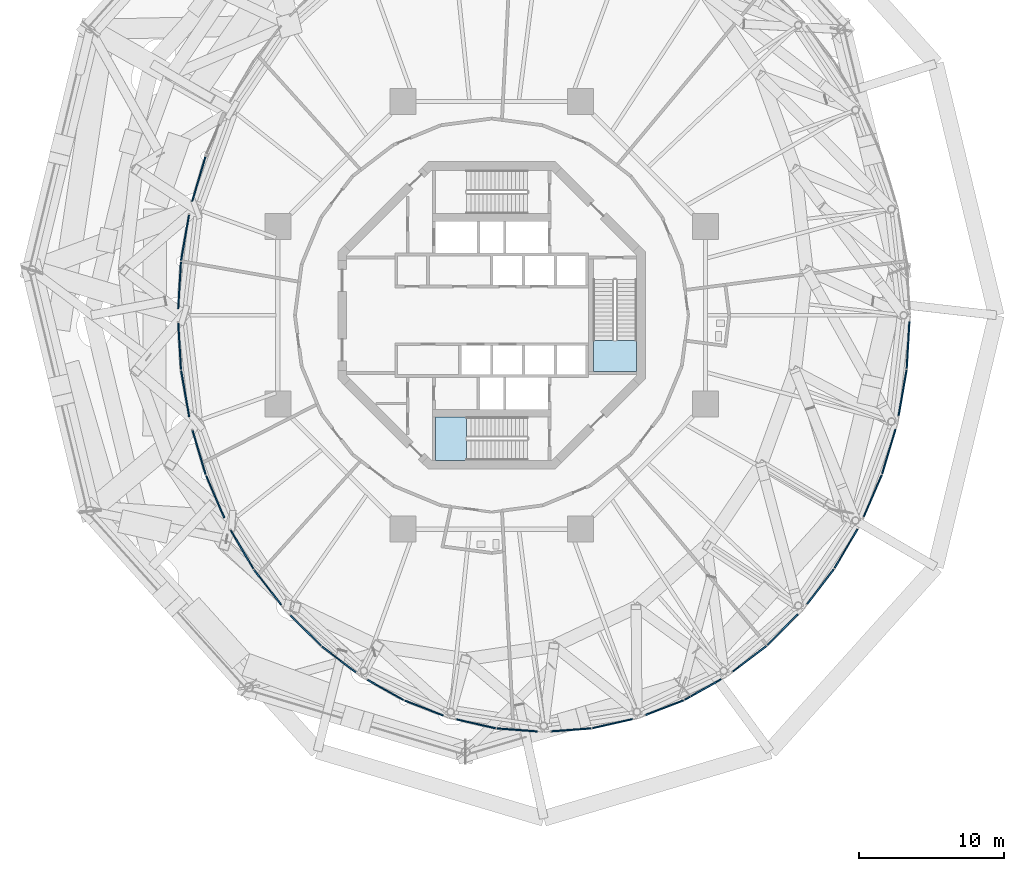
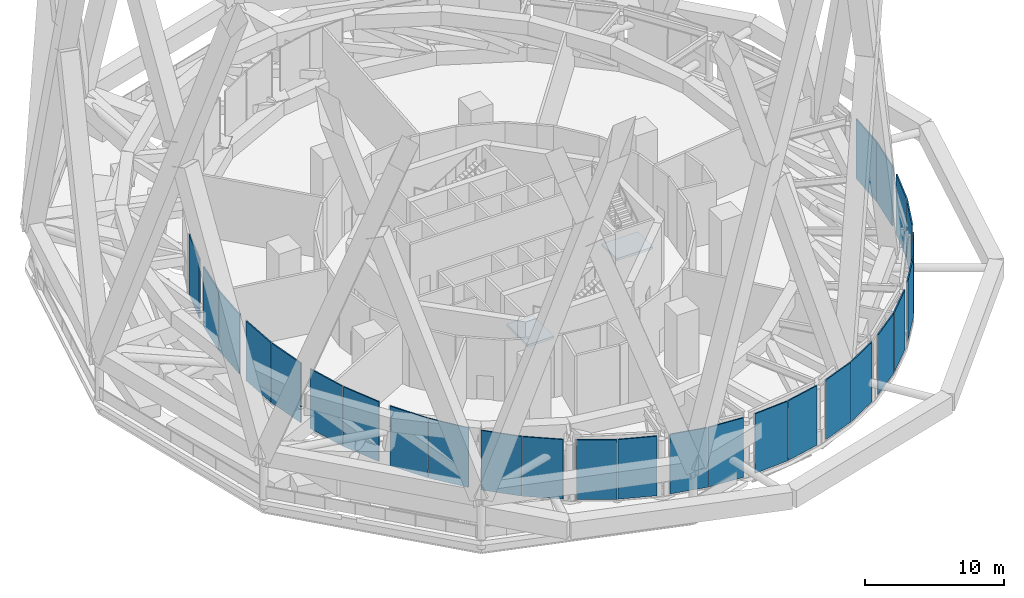
# One storey, part 47 of 60: 27 plates, 2 slabs, 29 elements without a shape of their own.
"""IFC4 building model written with IfcOpenShell, lengths in metres."""

from ifc_helpers import new_model, si_unit, direction, frame, origin, origin_2d, place, context, subcontext, project, spatial, polyline, rectangle, outline, extrude, material, layer, layer_set, type_object, element, aggregate, save


model = new_model("IFC4")

# Units and contexts
model_context = context("Model", 3, precision=1e-05, world=origin(), true_north=direction((0.0, 1.0)))
body_context = subcontext(model_context, "Body", "Model", "MODEL_VIEW")
ifc_project = project(units=[si_unit("LENGTHUNIT", "METRE"), si_unit("AREAUNIT", "SQUARE_METRE"), si_unit("VOLUMEUNIT", "CUBIC_METRE"), si_unit("PLANEANGLEUNIT", "RADIAN"), si_unit("MASSUNIT", "GRAM", prefix="KILO")], contexts=[model_context])

# Site, building, storey
site_placement = place(None, origin())
site = spatial("IfcSite", under=ifc_project, at=site_placement, CompositionType="ELEMENT")
building_placement = place(site_placement, origin())
building = spatial("IfcBuilding", under=site, at=building_placement, Name="Nagisa Residences", CompositionType="ELEMENT")
storey_placement = place(building_placement, frame((0.0, 0.0, 206.60009765625)))
storey = spatial("IfcBuildingStorey", under=building, at=storey_placement, Name="L52", CompositionType="ELEMENT", Elevation=206.60009765625)

# Curtain wall, plate
ifc_material_1 = material(Name="Aluminium curtain wall system", Category="aluminium")
ifc_layer_1 = layer(ifc_material_1, 0.159912109375)
ifc_layer_set_1 = layer_set([ifc_layer_1], Name="CW5 CURTAIN WALL")
curtain_wall_type = type_object("IfcCurtainWallType", Name="CW5 CURTAIN WALL", PredefinedType="NOTDEFINED", material=ifc_layer_set_1)
curtain_wall_1_placement = place(storey_placement, origin())
curtain_wall_1 = element("IfcCurtainWall", 1, at=curtain_wall_1_placement, inside=storey, type_object=curtain_wall_type, Name="cw:CW5:L52:21", PredefinedType="NOTDEFINED")
ifc_material_2 = material(Name="Aluminium louvre", Category="aluminium")
ifc_layer_2 = layer(ifc_material_2, 0.10009765625)
ifc_layer_set_2 = layer_set([ifc_layer_2], Name="CW5 LOUVRE PANEL")
plate_type = type_object("IfcPlateType", Name="CW5 LOUVRE PANEL", PredefinedType="CURTAIN_PANEL", material=ifc_layer_set_2)
plate_1_placement = place(storey_placement, frame((-20.244384765625, 9.42578125, 0.1201171875), z_axis=(0.0, 0.0, 1.0), x_axis=(-0.285860274038, -0.958271310082, 0.0)))
plate_1 = element("IfcPlate", 2, at=plate_1_placement, type_object=plate_type, Name="CW5 panel", PredefinedType="CURTAIN_PANEL", context=body_context, shape_type="SweptSolid", body=[
    extrude(rectangle(XDim=3.222412109375, YDim=0.10009765625, at=origin_2d()), origin(), (0.0, 0.0, 1.0), 5.219970703125),
])
aggregate(curtain_wall_1, [plate_1])

curtain_wall_2_placement = place(storey_placement, origin())
curtain_wall_2 = element("IfcCurtainWall", 3, at=curtain_wall_2_placement, inside=storey, type_object=curtain_wall_type, Name="cw:CW5:L52:22", PredefinedType="NOTDEFINED")
plate_2_placement = place(storey_placement, frame((-21.19921875, 5.356201171875, 0.1201171875), z_axis=(0.0, 0.0, 1.0), x_axis=(-0.172190868898, -0.985063604377, 0.0)))
plate_2 = element("IfcPlate", 4, at=plate_2_placement, type_object=plate_type, Name="CW5 panel", PredefinedType="CURTAIN_PANEL", context=body_context, shape_type="SweptSolid", body=[
    extrude(rectangle(XDim=3.250732421875, YDim=0.10009765625, at=origin_2d()), origin(), (0.0, 0.0, 1.0), 5.219970703125),
])
aggregate(curtain_wall_2, [plate_2])

curtain_wall_3_placement = place(storey_placement, origin())
curtain_wall_3 = element("IfcCurtainWall", 5, at=curtain_wall_3_placement, inside=storey, type_object=curtain_wall_type, Name="cw:CW5:L52:23", PredefinedType="NOTDEFINED")
plate_3_placement = place(storey_placement, frame((-21.575439453125, 2.074462890625, 0.1201171875), z_axis=(0.0, 0.0, 1.0), x_axis=(-0.057503492216, -0.998345305184, 0.0)))
plate_3 = element("IfcPlate", 6, at=plate_3_placement, type_object=plate_type, Name="CW5 panel", PredefinedType="CURTAIN_PANEL", context=body_context, shape_type="SweptSolid", body=[
    extrude(rectangle(XDim=3.26513671875, YDim=0.10009765625, at=origin_2d()), origin(), (0.0, 0.0, 1.0), 5.219970703125),
])
aggregate(curtain_wall_3, [plate_3])

curtain_wall_4_placement = place(storey_placement, origin())
curtain_wall_4 = element("IfcCurtainWall", 7, at=curtain_wall_4_placement, inside=storey, type_object=curtain_wall_type, Name="cw:CW5:L52:24", PredefinedType="NOTDEFINED")
plate_4_placement = place(storey_placement, frame((-21.572021484375, -2.134521484375, 0.1201171875), z_axis=(0.0, 0.0, 1.0), x_axis=(0.057503492216, -0.998345305184, 0.0)))
plate_4 = element("IfcPlate", 8, at=plate_4_placement, type_object=plate_type, Name="CW5 panel", PredefinedType="CURTAIN_PANEL", context=body_context, shape_type="SweptSolid", body=[
    extrude(rectangle(XDim=3.26513671875, YDim=0.10009765625, at=origin_2d()), origin(), (0.0, 0.0, 1.0), 5.219970703125),
])
aggregate(curtain_wall_4, [plate_4])

curtain_wall_5_placement = place(storey_placement, origin())
curtain_wall_5 = element("IfcCurtainWall", 9, at=curtain_wall_5_placement, inside=storey, type_object=curtain_wall_type, Name="cw:CW5:L52:25", PredefinedType="NOTDEFINED")
plate_5_placement = place(storey_placement, frame((-21.18896484375, -5.415283203125, 0.1201171875), z_axis=(0.0, 0.0, 1.0), x_axis=(0.172190868898, -0.985063604377, 0.0)))
plate_5 = element("IfcPlate", 10, at=plate_5_placement, type_object=plate_type, Name="CW5 panel", PredefinedType="CURTAIN_PANEL", context=body_context, shape_type="SweptSolid", body=[
    extrude(rectangle(XDim=3.250732421875, YDim=0.10009765625, at=origin_2d()), origin(), (0.0, 0.0, 1.0), 5.219970703125),
])
aggregate(curtain_wall_5, [plate_5])

curtain_wall_6_placement = place(storey_placement, origin())
curtain_wall_6 = element("IfcCurtainWall", 11, at=curtain_wall_6_placement, inside=storey, type_object=curtain_wall_type, Name="cw:CW5:L52:26", PredefinedType="NOTDEFINED")
plate_6_placement = place(storey_placement, frame((-20.227294921875, -9.483154296875, 0.1201171875), z_axis=(0.0, 0.0, 1.0), x_axis=(0.285860274038, -0.958271310082, 0.0)))
plate_6 = element("IfcPlate", 12, at=plate_6_placement, type_object=plate_type, Name="CW5 panel", PredefinedType="CURTAIN_PANEL", context=body_context, shape_type="SweptSolid", body=[
    extrude(rectangle(XDim=3.222412109375, YDim=0.10009765625, at=origin_2d()), origin(), (0.0, 0.0, 1.0), 5.219970703125),
])
aggregate(curtain_wall_6, [plate_6])

curtain_wall_7_placement = place(storey_placement, origin())
curtain_wall_7 = element("IfcCurtainWall", 13, at=curtain_wall_7_placement, inside=storey, type_object=curtain_wall_type, Name="cw:CW5:L52:27", PredefinedType="NOTDEFINED")
plate_7_placement = place(storey_placement, frame((-19.113525390625, -12.532958984375, 0.1201171875), z_axis=(0.0, 0.0, 1.0), x_axis=(0.397635934147, -0.917543276295, 0.0)))
plate_7 = element("IfcPlate", 14, at=plate_7_placement, type_object=plate_type, Name="CW5 panel", PredefinedType="CURTAIN_PANEL", context=body_context, shape_type="SweptSolid", body=[
    extrude(rectangle(XDim=3.181884765625, YDim=0.10009765625, at=origin_2d()), origin(), (0.0, 0.0, 1.0), 5.219970703125),
])
aggregate(curtain_wall_7, [plate_7])

curtain_wall_8_placement = place(storey_placement, origin())
curtain_wall_8 = element("IfcCurtainWall", 15, at=curtain_wall_8_placement, inside=storey, type_object=curtain_wall_type, Name="cw:CW5:L52:28", PredefinedType="NOTDEFINED")
plate_8_placement = place(storey_placement, frame((-17.25537109375, -16.18701171875, 0.1201171875), z_axis=(0.0, 0.0, 1.0), x_axis=(0.506348567002, -0.862328898214, 0.0)))
plate_8 = element("IfcPlate", 16, at=plate_8_placement, type_object=plate_type, Name="CW5 panel", PredefinedType="CURTAIN_PANEL", context=body_context, shape_type="SweptSolid", body=[
    extrude(rectangle(XDim=3.1318359375, YDim=0.10009765625, at=origin_2d()), origin(), (0.0, 0.0, 1.0), 5.219970703125),
])
aggregate(curtain_wall_8, [plate_8])

curtain_wall_9_placement = place(storey_placement, origin())
curtain_wall_9 = element("IfcCurtainWall", 17, at=curtain_wall_9_placement, inside=storey, type_object=curtain_wall_type, Name="cw:CW5:L52:29", PredefinedType="NOTDEFINED")
plate_9_placement = place(storey_placement, frame((-15.49267578125, -18.794677734375, 0.1201171875), z_axis=(0.0, 0.0, 1.0), x_axis=(0.610429828235, -0.792070340816, 0.0)))
plate_9 = element("IfcPlate", 18, at=plate_9_placement, type_object=plate_type, Name="CW5 panel", PredefinedType="CURTAIN_PANEL", context=body_context, shape_type="SweptSolid", body=[
    extrude(rectangle(XDim=3.0751953125, YDim=0.10009765625, at=origin_2d()), origin(), (0.0, 0.0, 1.0), 5.219970703125),
])
aggregate(curtain_wall_9, [plate_9])

curtain_wall_10_placement = place(storey_placement, origin())
curtain_wall_10 = element("IfcCurtainWall", 19, at=curtain_wall_10_placement, inside=storey, type_object=curtain_wall_type, Name="cw:CW5:L52:30", PredefinedType="NOTDEFINED")
plate_10_placement = place(storey_placement, frame((-12.858154296875, -21.786376953125, 0.1201171875), z_axis=(0.0, 0.0, 1.0), x_axis=(0.707835924016, -0.706376885714, 0.0)))
plate_10 = element("IfcPlate", 20, at=plate_10_placement, type_object=plate_type, Name="CW5 panel", PredefinedType="CURTAIN_PANEL", context=body_context, shape_type="SweptSolid", body=[
    extrude(rectangle(XDim=3.015625, YDim=0.10009765625, at=origin_2d()), origin(), (0.0, 0.0, 1.0), 5.219970703125),
])
aggregate(curtain_wall_10, [plate_10])

curtain_wall_11_placement = place(storey_placement, origin())
curtain_wall_11 = element("IfcCurtainWall", 21, at=curtain_wall_11_placement, inside=storey, type_object=curtain_wall_type, Name="cw:CW5:L52:31", PredefinedType="NOTDEFINED")
plate_11_placement = place(storey_placement, frame((-10.57421875, -23.775634765625, 0.1201171875), z_axis=(0.0, 0.0, 1.0), x_axis=(0.79603132756, -0.605255421737, 0.0)))
plate_11 = element("IfcPlate", 22, at=plate_11_placement, type_object=plate_type, Name="CW5 panel", PredefinedType="CURTAIN_PANEL", context=body_context, shape_type="SweptSolid", body=[
    extrude(rectangle(XDim=2.95703125, YDim=0.10009765625, at=origin_2d()), origin(), (0.0, 0.0, 1.0), 5.219970703125),
])
aggregate(curtain_wall_11, [plate_11])

curtain_wall_12_placement = place(storey_placement, origin())
curtain_wall_12 = element("IfcCurtainWall", 23, at=curtain_wall_12_placement, inside=storey, type_object=curtain_wall_type, Name="cw:CW5:L52:32", PredefinedType="NOTDEFINED")
plate_12_placement = place(storey_placement, frame((-7.33740234375, -25.896728515625, 0.1201171875), z_axis=(0.0, 0.0, 1.0), x_axis=(0.872072377523, -0.489376918501, 0.0)))
plate_12 = element("IfcPlate", 24, at=plate_12_placement, type_object=plate_type, Name="CW5 panel", PredefinedType="CURTAIN_PANEL", context=body_context, shape_type="SweptSolid", body=[
    extrude(rectangle(XDim=2.903564453125, YDim=0.10009765625, at=origin_2d()), origin(), (0.0, 0.0, 1.0), 5.219970703125),
])
aggregate(curtain_wall_12, [plate_12])

curtain_wall_13_placement = place(storey_placement, origin())
curtain_wall_13 = element("IfcCurtainWall", 25, at=curtain_wall_13_placement, inside=storey, type_object=curtain_wall_type, Name="cw:CW5:L52:33", PredefinedType="NOTDEFINED")
plate_13_placement = place(storey_placement, frame((-4.692138671875, -27.13916015625, 0.1201171875), z_axis=(0.0, 0.0, 1.0), x_axis=(0.932825759707, -0.360327770268, 0.0)))
plate_13 = element("IfcPlate", 26, at=plate_13_placement, type_object=plate_type, Name="CW5 panel", PredefinedType="CURTAIN_PANEL", context=body_context, shape_type="SweptSolid", body=[
    extrude(rectangle(XDim=2.859375, YDim=0.10009765625, at=origin_2d()), origin(), (0.0, 0.0, 1.0), 5.219970703125),
])
aggregate(curtain_wall_13, [plate_13])

curtain_wall_14_placement = place(storey_placement, origin())
curtain_wall_14 = element("IfcCurtainWall", 27, at=curtain_wall_14_placement, inside=storey, type_object=curtain_wall_type, Name="cw:CW5:L52:34", PredefinedType="NOTDEFINED")
plate_14_placement = place(storey_placement, frame((-1.073486328125, -28.23779296875, 0.1201171875), z_axis=(0.0, 0.0, 1.0), x_axis=(0.975327274089, -0.2207639201, 0.0)))
plate_14 = element("IfcPlate", 28, at=plate_14_placement, type_object=plate_type, Name="CW5 panel", PredefinedType="CURTAIN_PANEL", context=body_context, shape_type="SweptSolid", body=[
    extrude(rectangle(XDim=2.827880859375, YDim=0.10009765625, at=origin_2d()), origin(), (0.0, 0.0, 1.0), 5.219970703125),
])
aggregate(curtain_wall_14, [plate_14])

curtain_wall_15_placement = place(storey_placement, origin())
curtain_wall_15 = element("IfcCurtainWall", 29, at=curtain_wall_15_placement, inside=storey, type_object=curtain_wall_type, Name="cw:CW5:L52:35", PredefinedType="NOTDEFINED")
plate_15_placement = place(storey_placement, frame((1.75537109375, -28.6572265625, 0.1201171875), z_axis=(0.0, 0.0, 1.0), x_axis=(0.997230168512, -0.074377355493, 0.0)))
plate_15 = element("IfcPlate", 30, at=plate_15_placement, type_object=plate_type, Name="CW5 panel", PredefinedType="CURTAIN_PANEL", context=body_context, shape_type="SweptSolid", body=[
    extrude(rectangle(XDim=2.811279296875, YDim=0.10009765625, at=origin_2d()), origin(), (0.0, 0.0, 1.0), 5.219970703125),
])
aggregate(curtain_wall_15, [plate_15])

curtain_wall_16_placement = place(storey_placement, origin())
curtain_wall_16 = element("IfcCurtainWall", 31, at=curtain_wall_16_placement, inside=storey, type_object=curtain_wall_type, Name="cw:CW5:L52:36", PredefinedType="NOTDEFINED")
plate_16_placement = place(storey_placement, frame((5.50439453125, -28.65283203125, 0.1201171875), z_axis=(0.0, 0.0, 1.0), x_axis=(0.997230168512, 0.074377355493, 0.0)))
plate_16 = element("IfcPlate", 32, at=plate_16_placement, type_object=plate_type, Name="CW5 panel", PredefinedType="CURTAIN_PANEL", context=body_context, shape_type="SweptSolid", body=[
    extrude(rectangle(XDim=2.811279296875, YDim=0.10009765625, at=origin_2d()), origin(), (0.0, 0.0, 1.0), 5.219970703125),
])
aggregate(curtain_wall_16, [plate_16])

curtain_wall_17_placement = place(storey_placement, origin())
curtain_wall_17 = element("IfcCurtainWall", 33, at=curtain_wall_17_placement, inside=storey, type_object=curtain_wall_type, Name="cw:CW5:L52:37", PredefinedType="NOTDEFINED")
plate_17_placement = place(storey_placement, frame((8.33203125, -28.224609375, 0.1201171875), z_axis=(0.0, 0.0, 1.0), x_axis=(0.975327274089, 0.2207639201, 0.0)))
plate_17 = element("IfcPlate", 34, at=plate_17_placement, type_object=plate_type, Name="CW5 panel", PredefinedType="CURTAIN_PANEL", context=body_context, shape_type="SweptSolid", body=[
    extrude(rectangle(XDim=2.827880859375, YDim=0.10009765625, at=origin_2d()), origin(), (0.0, 0.0, 1.0), 5.219970703125),
])
aggregate(curtain_wall_17, [plate_17])

curtain_wall_18_placement = place(storey_placement, origin())
curtain_wall_18 = element("IfcCurtainWall", 35, at=curtain_wall_18_placement, inside=storey, type_object=curtain_wall_type, Name="cw:CW5:L52:38", PredefinedType="NOTDEFINED")
plate_18_placement = place(storey_placement, frame((11.947998046875, -27.11767578125, 0.1201171875), z_axis=(0.0, 0.0, 1.0), x_axis=(0.932825759707, 0.360327770268, 0.0)))
plate_18 = element("IfcPlate", 36, at=plate_18_placement, type_object=plate_type, Name="CW5 panel", PredefinedType="CURTAIN_PANEL", context=body_context, shape_type="SweptSolid", body=[
    extrude(rectangle(XDim=2.859375, YDim=0.10009765625, at=origin_2d()), origin(), (0.0, 0.0, 1.0), 5.219970703125),
])
aggregate(curtain_wall_18, [plate_18])

curtain_wall_19_placement = place(storey_placement, origin())
curtain_wall_19 = element("IfcCurtainWall", 37, at=curtain_wall_19_placement, inside=storey, type_object=curtain_wall_type, Name="cw:CW5:L52:39", PredefinedType="NOTDEFINED")
plate_19_placement = place(storey_placement, frame((14.58984375, -25.867431640625, 0.1201171875), z_axis=(0.0, 0.0, 1.0), x_axis=(0.872072377523, 0.489376918501, 0.0)))
plate_19 = element("IfcPlate", 38, at=plate_19_placement, type_object=plate_type, Name="CW5 panel", PredefinedType="CURTAIN_PANEL", context=body_context, shape_type="SweptSolid", body=[
    extrude(rectangle(XDim=2.903564453125, YDim=0.10009765625, at=origin_2d()), origin(), (0.0, 0.0, 1.0), 5.219970703125),
])
aggregate(curtain_wall_19, [plate_19])

curtain_wall_20_placement = place(storey_placement, origin())
curtain_wall_20 = element("IfcCurtainWall", 39, at=curtain_wall_20_placement, inside=storey, type_object=curtain_wall_type, Name="cw:CW5:L52:40", PredefinedType="NOTDEFINED")
plate_20_placement = place(storey_placement, frame((17.822021484375, -23.7392578125, 0.1201171875), z_axis=(0.0, 0.0, 1.0), x_axis=(0.79603132756, 0.605255421737, 0.0)))
plate_20 = element("IfcPlate", 40, at=plate_20_placement, type_object=plate_type, Name="CW5 panel", PredefinedType="CURTAIN_PANEL", context=body_context, shape_type="SweptSolid", body=[
    extrude(rectangle(XDim=2.95703125, YDim=0.10009765625, at=origin_2d()), origin(), (0.0, 0.0, 1.0), 5.219970703125),
])
aggregate(curtain_wall_20, [plate_20])

curtain_wall_21_placement = place(storey_placement, origin())
curtain_wall_21 = element("IfcCurtainWall", 41, at=curtain_wall_21_placement, inside=storey, type_object=curtain_wall_type, Name="cw:CW5:L52:41", PredefinedType="NOTDEFINED")
plate_21_placement = place(storey_placement, frame((20.1005859375, -21.743896484375, 0.1201171875), z_axis=(0.0, 0.0, 1.0), x_axis=(0.707835924016, 0.706376885714, 0.0)))
plate_21 = element("IfcPlate", 42, at=plate_21_placement, type_object=plate_type, Name="CW5 panel", PredefinedType="CURTAIN_PANEL", context=body_context, shape_type="SweptSolid", body=[
    extrude(rectangle(XDim=3.015625, YDim=0.10009765625, at=origin_2d()), origin(), (0.0, 0.0, 1.0), 5.219970703125),
])
aggregate(curtain_wall_21, [plate_21])

curtain_wall_22_placement = place(storey_placement, origin())
curtain_wall_22 = element("IfcCurtainWall", 43, at=curtain_wall_22_placement, inside=storey, type_object=curtain_wall_type, Name="cw:CW5:L52:42", PredefinedType="NOTDEFINED")
plate_22_placement = place(storey_placement, frame((22.7294921875, -18.7470703125, 0.1201171875), z_axis=(0.0, 0.0, 1.0), x_axis=(0.610429828235, 0.792070340816, 0.0)))
plate_22 = element("IfcPlate", 44, at=plate_22_placement, type_object=plate_type, Name="CW5 panel", PredefinedType="CURTAIN_PANEL", context=body_context, shape_type="SweptSolid", body=[
    extrude(rectangle(XDim=3.0751953125, YDim=0.10009765625, at=origin_2d()), origin(), (0.0, 0.0, 1.0), 5.219970703125),
])
aggregate(curtain_wall_22, [plate_22])

curtain_wall_23_placement = place(storey_placement, origin())
curtain_wall_23 = element("IfcCurtainWall", 45, at=curtain_wall_23_placement, inside=storey, type_object=curtain_wall_type, Name="cw:CW5:L52:43", PredefinedType="NOTDEFINED")
plate_23_placement = place(storey_placement, frame((24.485595703125, -16.135498046875, 0.1201171875), z_axis=(0.0, 0.0, 1.0), x_axis=(0.506348567002, 0.862328898214, 0.0)))
plate_23 = element("IfcPlate", 46, at=plate_23_placement, type_object=plate_type, Name="CW5 panel", PredefinedType="CURTAIN_PANEL", context=body_context, shape_type="SweptSolid", body=[
    extrude(rectangle(XDim=3.1318359375, YDim=0.10009765625, at=origin_2d()), origin(), (0.0, 0.0, 1.0), 5.219970703125),
])
aggregate(curtain_wall_23, [plate_23])

curtain_wall_24_placement = place(storey_placement, origin())
curtain_wall_24 = element("IfcCurtainWall", 47, at=curtain_wall_24_placement, inside=storey, type_object=curtain_wall_type, Name="cw:CW5:L52:44", PredefinedType="NOTDEFINED")
plate_24_placement = place(storey_placement, frame((26.33740234375, -12.47802734375, 0.1201171875), z_axis=(0.0, 0.0, 1.0), x_axis=(0.397635934147, 0.917543276295, 0.0)))
plate_24 = element("IfcPlate", 48, at=plate_24_placement, type_object=plate_type, Name="CW5 panel", PredefinedType="CURTAIN_PANEL", context=body_context, shape_type="SweptSolid", body=[
    extrude(rectangle(XDim=3.181884765625, YDim=0.10009765625, at=origin_2d()), origin(), (0.0, 0.0, 1.0), 5.219970703125),
])
aggregate(curtain_wall_24, [plate_24])

curtain_wall_25_placement = place(storey_placement, origin())
curtain_wall_25 = element("IfcCurtainWall", 49, at=curtain_wall_25_placement, inside=storey, type_object=curtain_wall_type, Name="cw:CW5:L52:45", PredefinedType="NOTDEFINED")
plate_25_placement = place(storey_placement, frame((27.444580078125, -9.42578125, 0.1201171875), z_axis=(0.0, 0.0, 1.0), x_axis=(0.285860274038, 0.958271310082, 0.0)))
plate_25 = element("IfcPlate", 50, at=plate_25_placement, type_object=plate_type, Name="CW5 panel", PredefinedType="CURTAIN_PANEL", context=body_context, shape_type="SweptSolid", body=[
    extrude(rectangle(XDim=3.222412109375, YDim=0.10009765625, at=origin_2d()), origin(), (0.0, 0.0, 1.0), 5.219970703125),
])
aggregate(curtain_wall_25, [plate_25])

curtain_wall_26_placement = place(storey_placement, origin())
curtain_wall_26 = element("IfcCurtainWall", 51, at=curtain_wall_26_placement, inside=storey, type_object=curtain_wall_type, Name="cw:CW5:L52:46", PredefinedType="NOTDEFINED")
plate_26_placement = place(storey_placement, frame((28.399169921875, -5.356201171875, 0.1201171875), z_axis=(0.0, 0.0, 1.0), x_axis=(0.172190868898, 0.985063604377, 0.0)))
plate_26 = element("IfcPlate", 52, at=plate_26_placement, type_object=plate_type, Name="CW5 panel", PredefinedType="CURTAIN_PANEL", context=body_context, shape_type="SweptSolid", body=[
    extrude(rectangle(XDim=3.250732421875, YDim=0.10009765625, at=origin_2d()), origin(), (0.0, 0.0, 1.0), 5.219970703125),
])
aggregate(curtain_wall_26, [plate_26])

curtain_wall_27_placement = place(storey_placement, origin())
curtain_wall_27 = element("IfcCurtainWall", 53, at=curtain_wall_27_placement, inside=storey, type_object=curtain_wall_type, Name="cw:CW5:L52:47", PredefinedType="NOTDEFINED")
plate_27_placement = place(storey_placement, frame((28.775390625, -2.074462890625, 0.1201171875), z_axis=(0.0, 0.0, 1.0), x_axis=(0.057503492216, 0.998345305184, 0.0)))
plate_27 = element("IfcPlate", 54, at=plate_27_placement, type_object=plate_type, Name="CW5 panel", PredefinedType="CURTAIN_PANEL", context=body_context, shape_type="SweptSolid", body=[
    extrude(rectangle(XDim=3.26513671875, YDim=0.10009765625, at=origin_2d()), origin(), (0.0, 0.0, 1.0), 5.219970703125),
])
aggregate(curtain_wall_27, [plate_27])

# Stair, slab
ifc_material_3 = material(Name="Concrete C60", Category="concrete")
stair_type = type_object("IfcStairType", Name="Exit stair", PredefinedType="HALF_TURN_STAIR", material=ifc_material_3)
stair_1_placement = place(storey_placement, origin())
stair_1 = element("IfcStair", 55, at=stair_1_placement, inside=storey, type_object=stair_type, Name="L52 Exit stair E", PredefinedType="HALF_TURN_STAIR")
ifc_material_4 = material(Name="Concrete C60", Category="concrete")
ifc_layer_3 = layer(ifc_material_4, 0.199951171875)
ifc_layer_set_3 = layer_set([ifc_layer_3], Name="Stair landing")
slab_type = type_object("IfcSlabType", Name="Stair landing", PredefinedType="LANDING", material=ifc_layer_set_3)
slab_1_placement = place(storey_placement, frame((0.0, 0.0, 2.599853515625)))
slab_1 = element("IfcSlab", 56, at=slab_1_placement, type_object=slab_type, Name="ST-E landing 1", PredefinedType="LANDING", context=body_context, shape_type="SweptSolid", body=[
    extrude(outline(polyline([(7.024658203125, -1.72509765625), (7.024658203125, -3.89990234375), (10.024658203125, -3.89990234375), (10.024658203125, -1.72509765625), (7.024658203125, -1.72509765625)])), origin(), (0.0, 0.0, 1.0), 0.199951171875),
])
aggregate(stair_1, [slab_1])

stair_2_placement = place(storey_placement, origin())
stair_2 = element("IfcStair", 57, at=stair_2_placement, inside=storey, type_object=stair_type, Name="L52 Exit stair S", PredefinedType="HALF_TURN_STAIR")
slab_2_placement = place(storey_placement, frame((0.0, 0.0, 2.599853515625)))
slab_2 = element("IfcSlab", 58, at=slab_2_placement, type_object=slab_type, Name="ST-S landing 1", PredefinedType="LANDING", context=body_context, shape_type="SweptSolid", body=[
    extrude(outline(polyline([(-1.72509765625, -7.024658203125), (-3.89990234375, -7.024658203125), (-3.89990234375, -10.024658203125), (-1.72509765625, -10.024658203125), (-1.72509765625, -7.024658203125)])), origin(), (0.0, 0.0, 1.0), 0.199951171875),
])
aggregate(stair_2, [slab_2])

save(model, "model.ifc")
